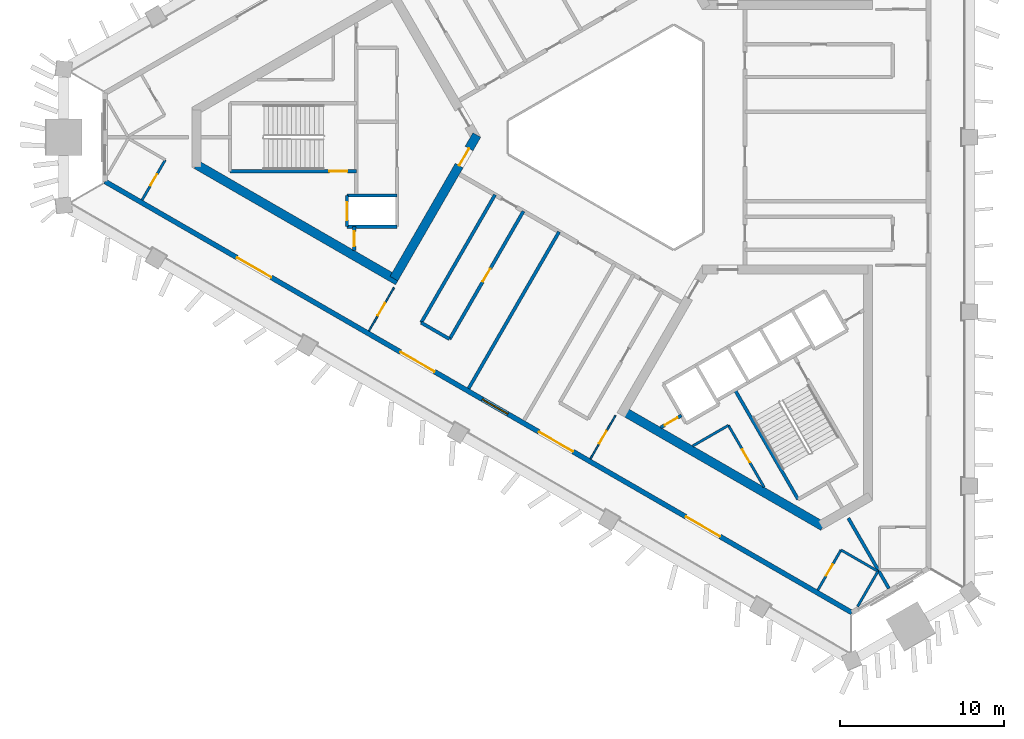
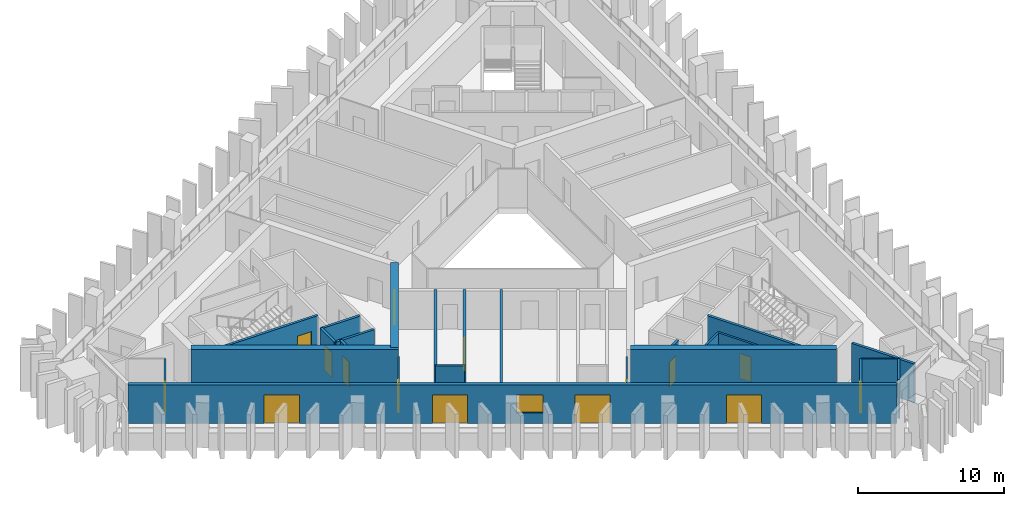
# One storey, part 2 of 9: 24 walls, 15 doors, 1 window, 16 openings.
"""IFC4 building model written with IfcOpenShell, lengths in metres."""

from ifc_helpers import new_model, si_unit, direction, frame, frame_2d, origin, place, context, subcontext, project, spatial, rectangle, extrude, material, layer, layer_set, type_object, element, fill, save


model = new_model("IFC4")

# Units and contexts
model_context = context("Model", 3, precision=1e-05, world=origin(), true_north=direction((0.0, 1.0)))
body_context = subcontext(model_context, "Body", "Model", "MODEL_VIEW")
ifc_project = project(units=[si_unit("LENGTHUNIT", "METRE"), si_unit("AREAUNIT", "SQUARE_METRE"), si_unit("VOLUMEUNIT", "CUBIC_METRE"), si_unit("PLANEANGLEUNIT", "RADIAN"), si_unit("MASSUNIT", "GRAM", prefix="KILO")], contexts=[model_context])

# Site, building, storey
site_placement = place(None, origin())
site = spatial("IfcSite", under=ifc_project, at=site_placement, CompositionType="ELEMENT")
building_placement = place(site_placement, origin())
building = spatial("IfcBuilding", under=site, at=building_placement, Name="Jabali Bay Hotel Tower and Convention Centre", CompositionType="ELEMENT")
storey_placement = place(building_placement, frame((0.0, 0.0, 189.60009765625)))
storey = spatial("IfcBuildingStorey", under=building, at=storey_placement, Name="L46", CompositionType="ELEMENT", Elevation=189.60009765625)

# Wall, opening, door
ifc_material_1 = material(Name="Concrete C40", Category="concrete")
ifc_layer_1 = layer(ifc_material_1, 0.199951171875)
ifc_layer_set_1 = layer_set([ifc_layer_1], Name="Concrete C40")
wall_type_1 = type_object("IfcWallType", Name="Core partition wall 200", PredefinedType="PARTITIONING", material=ifc_layer_set_1)
wall_1_placement = place(storey_placement, frame((58.300048828125, 74.550048828125, 0.0), z_axis=(0.0, 0.0, 1.0), x_axis=(0.0, -1.0, 0.0)))
wall_1 = element("IfcWall", 1, at=wall_1_placement, inside=storey, type_object=wall_type_1, Name="Core wall 0.10 L46", PredefinedType="PARTITIONING", context=body_context, shape_type="SweptSolid", body=[
    extrude(rectangle(XDim=1.455078125, YDim=0.199951171875, at=frame_2d((0.7275390625, 0.0))), origin(), (0.0, 0.0, 1.0), 3.25),
])
opening_1_placement = place(wall_1_placement, frame((0.277587890625, 0.0, 0.0)))
opening_1 = element("IfcOpeningElement", 2, at=opening_1_placement, cuts=wall_1, Name="Opening D992", PredefinedType="OPENING", context=body_context, shape_type="SweptSolid", body=[
    extrude(rectangle(XDim=0.89990234375, YDim=2.10009765625, at=frame_2d((0.449951171875, 1.050048828125))), frame((0.0, 0.1103515625, 0.0), z_axis=(0.0, -1.0, 0.0), x_axis=(1.0, 0.0, 0.0)), (0.0, 0.0, 1.0), 0.220947265625),
])
ifc_material_2 = material(Name="Fire-rated steel door", Category="steel")
door_type_1 = type_object("IfcDoorType", Name="Vestibule fire door 900 x 2100", OperationType="NOTDEFINED", PredefinedType="NOTDEFINED", material=ifc_material_2)
door_1_placement = place(opening_1_placement, origin())
door_1 = element("IfcDoor", 3, at=door_1_placement, inside=storey, type_object=door_type_1, Name="Vestibule fire door D992", OperationType="SINGLE_SWING_LEFT", OverallHeight=2.10009765625, OverallWidth=0.89990234375, PredefinedType="NOTDEFINED", context=body_context, shape_type="SweptSolid", body=[
    extrude(rectangle(XDim=0.89990234375, YDim=2.10009765625, at=frame_2d((0.449951171875, 1.050048828125))), frame((0.0, 0.02490234375, 0.0), z_axis=(0.0, -1.0, 0.0), x_axis=(1.0, 0.0, 0.0)), (0.0, 0.0, 1.0), 0.050048828125),
])
fill(opening_1, door_1)

wall_2_placement = place(storey_placement, frame((76.969970703125, 62.315673828125, 0.0), z_axis=(0.0, 0.0, 1.0), x_axis=(0.865982457891, 0.500074377092, 0.0)))
wall_2 = element("IfcWall", 4, at=wall_2_placement, inside=storey, type_object=wall_type_1, Name="Core wall 2.11 L46", PredefinedType="PARTITIONING", context=body_context, shape_type="SweptSolid", body=[
    extrude(rectangle(XDim=1.461181640625, YDim=0.199951171875, at=frame_2d((0.73046875, 0.0))), origin(), (0.0, 0.0, 1.0), 3.25),
])
opening_2_placement = place(wall_2_placement, frame((0.280517578125, 0.0, 0.0)))
opening_2 = element("IfcOpeningElement", 5, at=opening_2_placement, cuts=wall_2, Name="Opening D1005", PredefinedType="OPENING", context=body_context, shape_type="SweptSolid", body=[
    extrude(rectangle(XDim=0.89990234375, YDim=2.10009765625, at=frame_2d((0.449951171875, 1.050048828125))), frame((0.0, 0.1103515625, 0.0), z_axis=(0.0, -1.0, 0.0), x_axis=(1.0, 0.0, 0.0)), (0.0, 0.0, 1.0), 0.220947265625),
])
door_2_placement = place(opening_2_placement, origin())
door_2 = element("IfcDoor", 6, at=door_2_placement, inside=storey, type_object=door_type_1, Name="Vestibule fire door D1005", OperationType="SINGLE_SWING_LEFT", OverallHeight=2.10009765625, OverallWidth=0.89990234375, PredefinedType="NOTDEFINED", context=body_context, shape_type="SweptSolid", body=[
    extrude(rectangle(XDim=0.89990234375, YDim=2.10009765625, at=frame_2d((0.449951171875, 1.050048828125))), frame((0.0, 0.02490234375, 0.0), z_axis=(0.0, -1.0, 0.0), x_axis=(1.0, 0.0, 0.0)), (0.0, 0.0, 1.0), 0.050048828125),
])
fill(opening_2, door_2)

ifc_material_3 = material(Name="Fire-rated board partition")
ifc_layer_2 = layer(ifc_material_3, 0.14990234375)
ifc_layer_set_2 = layer_set([ifc_layer_2], Name="Fire-rated board partition")
wall_type_2 = type_object("IfcWallType", Name="Core room partition 150", PredefinedType="PARTITIONING", material=ifc_layer_set_2)
wall_3_placement = place(storey_placement, frame((81.093994140625, 62.445068359375, 0.0), z_axis=(0.0, 0.0, 1.0), x_axis=(0.499980071345, -0.866036909293, 0.0)))
wall_3 = element("IfcWall", 7, at=wall_3_placement, inside=storey, type_object=wall_type_2, Name="Core wall 2.1 L46", PredefinedType="PARTITIONING", context=body_context, shape_type="SweptSolid", body=[
    extrude(rectangle(XDim=4.347900390625, YDim=0.14990234375, at=frame_2d((2.173828125, 0.0))), origin(), (0.0, 0.0, 1.0), 3.25),
])
opening_3_placement = place(wall_3_placement, frame((1.696533203125, 0.0, 0.0)))
opening_3 = element("IfcOpeningElement", 8, at=opening_3_placement, cuts=wall_3, Name="Opening D1007", PredefinedType="OPENING", context=body_context, shape_type="SweptSolid", body=[
    extrude(rectangle(XDim=0.89990234375, YDim=2.10009765625, at=frame_2d((0.449951171875, 1.050048828125))), frame((0.0, 0.08544921875, 0.0), z_axis=(0.0, -1.0, 0.0), x_axis=(1.0, 0.0, 0.0)), (0.0, 0.0, 1.0), 0.1708984375),
])
door_type_2 = type_object("IfcDoorType", Name="Core room door 900 x 2100", OperationType="NOTDEFINED", PredefinedType="NOTDEFINED", material=ifc_material_2)
door_3_placement = place(opening_3_placement, origin())
door_3 = element("IfcDoor", 9, at=door_3_placement, inside=storey, type_object=door_type_2, Name="Core room door D1007", OperationType="SINGLE_SWING_LEFT", OverallHeight=2.10009765625, OverallWidth=0.89990234375, PredefinedType="NOTDEFINED", context=body_context, shape_type="SweptSolid", body=[
    extrude(rectangle(XDim=0.89990234375, YDim=2.10009765625, at=frame_2d((0.449951171875, 1.050048828125))), frame((0.0, 0.02490234375, 0.0), z_axis=(0.0, -1.0, 0.0), x_axis=(1.0, 0.0, 0.0)), (0.0, 0.0, 1.0), 0.050048828125),
])
fill(opening_3, door_3)

# Wall
wall_4_placement = place(storey_placement, frame((78.919921875, 61.18994140625, 0.0), z_axis=(0.0, 0.0, 1.0), x_axis=(0.866038211682, 0.499977815414, 0.0)))
element("IfcWall", 10, at=wall_4_placement, inside=storey, type_object=wall_type_2, Name="Core wall 2.16 L46", PredefinedType="PARTITIONING", context=body_context, shape_type="SweptSolid", body=[
    extrude(rectangle(XDim=2.51025390625, YDim=0.14990234375, at=frame_2d((1.255126953125, 0.0))), origin(), (0.0, 0.0, 1.0), 3.25),
])

# Wall, opening, door
ifc_layer_3 = layer(ifc_material_1, 0.199951171875)
ifc_layer_set_3 = layer_set([ifc_layer_3], Name="Concrete C40")
wall_type_3 = type_object("IfcWallType", Name="Core stair wall 200", PredefinedType="SOLIDWALL", material=ifc_layer_set_3)
wall_5_placement = place(storey_placement, frame((58.419921875, 77.925048828125, 0.0), z_axis=(0.0, 0.0, 1.0), x_axis=(-1.0, 0.0, 0.0)))
wall_5 = element("IfcWall", 11, at=wall_5_placement, inside=storey, type_object=wall_type_3, Name="Core wall 0.5 L46", PredefinedType="SOLIDWALL", context=body_context, shape_type="SweptSolid", body=[
    extrude(rectangle(XDim=7.699951171875, YDim=0.199951171875, at=frame_2d((3.85009765625, 0.0))), origin(), (0.0, 0.0, 1.0), 3.25),
])
opening_4_placement = place(wall_5_placement, frame((0.550048828125, 0.0, 0.0)))
opening_4 = element("IfcOpeningElement", 12, at=opening_4_placement, cuts=wall_5, Name="Opening D994", PredefinedType="OPENING", context=body_context, shape_type="SweptSolid", body=[
    extrude(rectangle(XDim=1.10009765625, YDim=2.10009765625, at=frame_2d((0.550048828125, 1.050048828125))), frame((0.0, 0.1103515625, 0.0), z_axis=(0.0, -1.0, 0.0), x_axis=(1.0, 0.0, 0.0)), (0.0, 0.0, 1.0), 0.220947265625),
])
door_type_3 = type_object("IfcDoorType", Name="Stair fire door 1100 x 2100", OperationType="NOTDEFINED", PredefinedType="NOTDEFINED", material=ifc_material_2)
door_4_placement = place(opening_4_placement, origin())
door_4 = element("IfcDoor", 13, at=door_4_placement, inside=storey, type_object=door_type_3, Name="Stair fire door D994", OperationType="SINGLE_SWING_RIGHT", OverallHeight=2.10009765625, OverallWidth=1.10009765625, PredefinedType="NOTDEFINED", context=body_context, shape_type="SweptSolid", body=[
    extrude(rectangle(XDim=1.10009765625, YDim=2.10009765625, at=frame_2d((0.550048828125, 1.050048828125))), frame((0.0, 0.02490234375, 0.0), z_axis=(0.0, -1.0, 0.0), x_axis=(1.0, 0.0, 0.0)), (0.0, 0.0, 1.0), 0.050048828125),
])
fill(opening_4, door_4)

# Walls
for number, where, z_axis, x_axis, name in (
    (14, (60.89990234375, 76.449951171875, 0.0), (0.0, 0.0, 1.0), (-1.0, 0.0, 0.0), "Core wall 0.6 L46"),
    (15, (60.89990234375, 74.550048828125, 0.0), (0.0, 0.0, 1.0), (-1.0, 0.0, 0.0), "Core wall 0.7 L46"),
):
    element("IfcWall", number, at=place(storey_placement, frame(where, z_axis=z_axis, x_axis=x_axis)), inside=storey, type_object=wall_type_3, Name=name, PredefinedType="SOLIDWALL", context=body_context, shape_type="SweptSolid", body=[
        extrude(rectangle(XDim=3.0498046875, YDim=0.199951171875, at=frame_2d((1.52490234375, 0.0))), origin(), (0.0, 0.0, 1.0), 3.25),
    ])

# Wall, opening, door
wall_6_placement = place(storey_placement, frame((57.85009765625, 76.449951171875, 0.0), z_axis=(0.0, 0.0, 1.0), x_axis=(0.0, -1.0, 0.0)))
wall_6 = element("IfcWall", 16, at=wall_6_placement, inside=storey, type_object=wall_type_3, Name="Core wall 0.11 L46", PredefinedType="SOLIDWALL", context=body_context, shape_type="SweptSolid", body=[
    extrude(rectangle(XDim=1.89990234375, YDim=0.199951171875, at=frame_2d((0.949951171875, 0.0))), origin(), (0.0, 0.0, 1.0), 3.25),
])
opening_5_placement = place(wall_6_placement, frame((0.39990234375, 0.0, 0.0)))
opening_5 = element("IfcOpeningElement", 17, at=opening_5_placement, cuts=wall_6, Name="Opening LD5-L46", PredefinedType="OPENING", context=body_context, shape_type="SweptSolid", body=[
    extrude(rectangle(XDim=1.10009765625, YDim=2.10009765625, at=frame_2d((0.550048828125, 1.050048828125))), frame((0.0, 0.1103515625, 0.0), z_axis=(0.0, -1.0, 0.0), x_axis=(1.0, 0.0, 0.0)), (0.0, 0.0, 1.0), 0.220947265625),
])
ifc_material_4 = material(Name="Stainless steel landing door", Category="steel")
door_type_4 = type_object("IfcDoorType", Name="Landing door 1100 x 2100", OperationType="NOTDEFINED", PredefinedType="NOTDEFINED", material=ifc_material_4)
door_5_placement = place(opening_5_placement, origin())
door_5 = element("IfcDoor", 18, at=door_5_placement, inside=storey, type_object=door_type_4, Name="Landing doors LD5-L46", OperationType="SLIDING_TO_RIGHT", OverallHeight=2.10009765625, OverallWidth=1.10009765625, PredefinedType="NOTDEFINED", context=body_context, shape_type="SweptSolid", body=[
    extrude(rectangle(XDim=1.10009765625, YDim=2.10009765625, at=frame_2d((0.550048828125, 1.050048828125))), frame((0.0, 0.02490234375, 0.0), z_axis=(0.0, -1.0, 0.0), x_axis=(1.0, 0.0, 0.0)), (0.0, 0.0, 1.0), 0.050048828125),
])
fill(opening_5, door_5)

# Walls
wall_7_placement = place(storey_placement, frame((81.492919921875, 64.603759765625, 0.0), z_axis=(0.0, 0.0, 1.0), x_axis=(0.500006057782, -0.866021906294, 0.0)))
element("IfcWall", 19, at=wall_7_placement, inside=storey, type_object=wall_type_3, Name="Core wall 2.3 L46", PredefinedType="SOLIDWALL", context=body_context, shape_type="SweptSolid", body=[
    extrude(rectangle(XDim=7.7001953125, YDim=0.199951171875, at=frame_2d((3.85009765625, 0.0))), origin(), (0.0, 0.0, 1.0), 3.25),
])
ifc_material_5 = material(Name="Concrete C60", Category="concrete")
ifc_layer_4 = layer(ifc_material_5, 0.550048828125)
ifc_layer_set_4 = layer_set([ifc_layer_4], Name="Concrete C60")
wall_type_4 = type_object("IfcWallType", Name="Core wall 550", PredefinedType="SHEAR", material=ifc_layer_set_4)
wall_8_placement = place(storey_placement, frame((48.671875, 78.336181640625, 0.0), z_axis=(0.0, 0.0, 1.0), x_axis=(0.866023530946, -0.500003243837, 0.0)))
element("IfcWall", 20, at=wall_8_placement, inside=storey, type_object=wall_type_4, Name="Core wall 1.4 L46", PredefinedType="SHEAR", context=body_context, shape_type="SweptSolid", body=[
    extrude(rectangle(XDim=14.1748046875, YDim=0.550048828125, at=frame_2d((7.08740234375, 0.0))), origin(), (0.0, 0.0, 1.0), 3.699951171875),
])

# Wall, opening, door
wall_9_placement = place(storey_placement, frame((60.709228515625, 71.38623046875, 0.0), z_axis=(0.0, 0.0, 1.0), x_axis=(0.500015938302, 0.866016201606, 0.0)))
wall_9 = element("IfcWall", 21, at=wall_9_placement, inside=storey, type_object=wall_type_4, Name="Core wall 1.5 L46", PredefinedType="SHEAR", context=body_context, shape_type="SweptSolid", body=[
    extrude(rectangle(XDim=10.105224609375, YDim=0.550048828125, at=frame_2d((5.052734375, 0.0))), origin(), (0.0, 0.0, 1.0), 3.699951171875),
])
opening_6_placement = place(wall_9_placement, frame((7.955078125, 0.0, 0.0)))
opening_6 = element("IfcOpeningElement", 22, at=opening_6_placement, cuts=wall_9, Name="Opening D989", PredefinedType="OPENING", context=body_context, shape_type="SweptSolid", body=[
    extrude(rectangle(XDim=1.199951171875, YDim=2.10009765625, at=frame_2d((0.60009765625, 1.050048828125))), frame((0.0, 0.28564453125, 0.0), z_axis=(0.0, -1.0, 0.0), x_axis=(1.0, 0.0, 0.0)), (0.0, 0.0, 1.0), 0.571044921875),
])
door_type_5 = type_object("IfcDoorType", Name="Corridor end fire door 1200 x 2100", OperationType="NOTDEFINED", PredefinedType="NOTDEFINED", material=ifc_material_2)
door_6_placement = place(opening_6_placement, origin())
door_6 = element("IfcDoor", 23, at=door_6_placement, inside=storey, type_object=door_type_5, Name="Corridor end fire door D989", OperationType="SINGLE_SWING_LEFT", OverallHeight=2.10009765625, OverallWidth=1.199951171875, PredefinedType="NOTDEFINED", context=body_context, shape_type="SweptSolid", body=[
    extrude(rectangle(XDim=1.199951171875, YDim=2.10009765625, at=frame_2d((0.60009765625, 1.050048828125))), frame((0.0, 0.02490234375, 0.0), z_axis=(0.0, -1.0, 0.0), x_axis=(1.0, 0.0, 0.0)), (0.0, 0.0, 1.0), 0.050048828125),
])
fill(opening_6, door_6)

# Wall
wall_10_placement = place(storey_placement, frame((74.685546875, 63.317138671875, 0.0), z_axis=(0.0, 0.0, 1.0), x_axis=(0.866024505738, -0.500001555459, 0.0)))
element("IfcWall", 24, at=wall_10_placement, inside=storey, type_object=wall_type_4, Name="Core wall 3.2 L46", PredefinedType="SHEAR", context=body_context, shape_type="SweptSolid", body=[
    extrude(rectangle(XDim=14.05859375, YDim=0.550048828125, at=frame_2d((7.029296875, 0.0))), origin(), (0.0, 0.0, 1.0), 3.699951171875),
])

# Wall, openings, doors, window
ifc_layer_5 = layer(ifc_material_1, 0.300048828125)
ifc_layer_set_5 = layer_set([ifc_layer_5], Name="Concrete C40")
wall_type_5 = type_object("IfcWallType", Name="External wall 300", PredefinedType="SOLIDWALL", material=ifc_layer_set_5)
wall_11_placement = place(storey_placement, frame((88.620849609375, 51.030517578125, 0.0), z_axis=(0.0, 0.0, 1.0), x_axis=(-0.866025007541, 0.500000686313, 0.0)))
wall_11 = element("IfcWall", 25, at=wall_11_placement, inside=storey, type_object=wall_type_5, Name="External wall south-west face L46", PredefinedType="SOLIDWALL", context=body_context, shape_type="SweptSolid", body=[
    extrude(rectangle(XDim=52.5615234375, YDim=0.300048828125, at=frame_2d((26.28076171875, 0.0))), origin(), (0.0, 0.0, 1.0), 3.25),
])
opening_7_placement = place(wall_11_placement, frame((29.367431640625, 0.0, 0.0)))
opening_7 = element("IfcOpeningElement", 26, at=opening_7_placement, cuts=wall_11, Name="Opening SD1", PredefinedType="OPENING", context=body_context, shape_type="SweptSolid", body=[
    extrude(rectangle(XDim=2.39990234375, YDim=2.39990234375, at=frame_2d((1.199951171875, 1.199951171875))), frame((0.0, 0.16064453125, 0.0), z_axis=(0.0, -1.0, 0.0), x_axis=(1.0, 0.0, 0.0)), (0.0, 0.0, 1.0), 0.321044921875),
])
opening_8_placement = place(wall_11_placement, frame((40.8642578125, 0.0, 0.0)))
opening_8 = element("IfcOpeningElement", 27, at=opening_8_placement, cuts=wall_11, Name="Opening SD1", PredefinedType="OPENING", context=body_context, shape_type="SweptSolid", body=[
    extrude(rectangle(XDim=2.39990234375, YDim=2.39990234375, at=frame_2d((1.199951171875, 1.199951171875))), frame((0.0, 0.16064453125, 0.0), z_axis=(0.0, -1.0, 0.0), x_axis=(1.0, 0.0, 0.0)), (0.0, 0.0, 1.0), 0.321044921875),
])
opening_9_placement = place(wall_11_placement, frame((19.624755859375, 0.0, 0.0)))
opening_9 = element("IfcOpeningElement", 28, at=opening_9_placement, cuts=wall_11, Name="Opening SD1", PredefinedType="OPENING", context=body_context, shape_type="SweptSolid", body=[
    extrude(rectangle(XDim=2.39990234375, YDim=2.39990234375, at=frame_2d((1.199951171875, 1.199951171875))), frame((0.0, 0.16064453125, 0.0), z_axis=(0.0, -1.0, 0.0), x_axis=(1.0, 0.0, 0.0)), (0.0, 0.0, 1.0), 0.321044921875),
])
opening_10_placement = place(wall_11_placement, frame((9.27734375, 0.0, 0.0)))
opening_10 = element("IfcOpeningElement", 29, at=opening_10_placement, cuts=wall_11, Name="Opening SD1", PredefinedType="OPENING", context=body_context, shape_type="SweptSolid", body=[
    extrude(rectangle(XDim=2.39990234375, YDim=2.39990234375, at=frame_2d((1.199951171875, 1.199951171875))), frame((0.0, 0.16064453125, 0.0), z_axis=(0.0, -1.0, 0.0), x_axis=(1.0, 0.0, 0.0)), (0.0, 0.0, 1.0), 0.321044921875),
])
opening_11_placement = place(wall_11_placement, frame((24.211669921875, 0.0, 0.89990234375)))
opening_11 = element("IfcOpeningElement", 30, at=opening_11_placement, cuts=wall_11, Name="Opening W1", PredefinedType="OPENING", context=body_context, shape_type="SweptSolid", body=[
    extrude(rectangle(XDim=1.800048828125, YDim=1.5, at=frame_2d((0.89990234375, 0.75))), frame((0.0, 0.16064453125, 0.0), z_axis=(0.0, -1.0, 0.0), x_axis=(1.0, 0.0, 0.0)), (0.0, 0.0, 1.0), 0.321044921875),
])
ifc_material_6 = material(Name="Glass", Category="glass")
door_type_6 = type_object("IfcDoorType", Name="Loggia sliding door 2400 x 2400", OperationType="NOTDEFINED", PredefinedType="NOTDEFINED", material=ifc_material_6)
door_7_placement = place(opening_7_placement, origin())
door_7 = element("IfcDoor", 31, at=door_7_placement, inside=storey, type_object=door_type_6, Name="Loggia sliding door 4610", OperationType="SLIDING_TO_LEFT", OverallHeight=2.39990234375, OverallWidth=2.39990234375, PredefinedType="NOTDEFINED", context=body_context, shape_type="SweptSolid", body=[
    extrude(rectangle(XDim=2.39990234375, YDim=2.39990234375, at=frame_2d((1.199951171875, 1.199951171875))), frame((0.0, 0.02490234375, 0.0), z_axis=(0.0, -1.0, 0.0), x_axis=(1.0, 0.0, 0.0)), (0.0, 0.0, 1.0), 0.050048828125),
])
fill(opening_7, door_7)
door_8_placement = place(opening_8_placement, origin())
door_8 = element("IfcDoor", 32, at=door_8_placement, inside=storey, type_object=door_type_6, Name="Loggia sliding door 4610", OperationType="SLIDING_TO_RIGHT", OverallHeight=2.39990234375, OverallWidth=2.39990234375, PredefinedType="NOTDEFINED", context=body_context, shape_type="SweptSolid", body=[
    extrude(rectangle(XDim=2.39990234375, YDim=2.39990234375, at=frame_2d((1.199951171875, 1.199951171875))), frame((0.0, 0.02490234375, 0.0), z_axis=(0.0, -1.0, 0.0), x_axis=(1.0, 0.0, 0.0)), (0.0, 0.0, 1.0), 0.050048828125),
])
fill(opening_8, door_8)
door_9_placement = place(opening_9_placement, origin())
door_9 = element("IfcDoor", 33, at=door_9_placement, inside=storey, type_object=door_type_6, Name="Loggia sliding door 4612", OperationType="SLIDING_TO_LEFT", OverallHeight=2.39990234375, OverallWidth=2.39990234375, PredefinedType="NOTDEFINED", context=body_context, shape_type="SweptSolid", body=[
    extrude(rectangle(XDim=2.39990234375, YDim=2.39990234375, at=frame_2d((1.199951171875, 1.199951171875))), frame((0.0, 0.02490234375, 0.0), z_axis=(0.0, -1.0, 0.0), x_axis=(1.0, 0.0, 0.0)), (0.0, 0.0, 1.0), 0.050048828125),
])
fill(opening_9, door_9)
door_10_placement = place(opening_10_placement, origin())
door_10 = element("IfcDoor", 34, at=door_10_placement, inside=storey, type_object=door_type_6, Name="Loggia sliding door 4612", OperationType="SLIDING_TO_RIGHT", OverallHeight=2.39990234375, OverallWidth=2.39990234375, PredefinedType="NOTDEFINED", context=body_context, shape_type="SweptSolid", body=[
    extrude(rectangle(XDim=2.39990234375, YDim=2.39990234375, at=frame_2d((1.199951171875, 1.199951171875))), frame((0.0, 0.02490234375, 0.0), z_axis=(0.0, -1.0, 0.0), x_axis=(1.0, 0.0, 0.0)), (0.0, 0.0, 1.0), 0.050048828125),
])
fill(opening_10, door_10)
window_type = type_object("IfcWindowType", Name="Window 1800 x 1500", PartitioningType="SINGLE_PANEL", PredefinedType="WINDOW", material=ifc_material_6)
window_placement = place(opening_11_placement, origin())
window = element("IfcWindow", 35, at=window_placement, inside=storey, type_object=window_type, Name="Window", OverallHeight=1.5, OverallWidth=1.800048828125, PartitioningType="SINGLE_PANEL", PredefinedType="WINDOW", context=body_context, shape_type="SweptSolid", body=[
    extrude(rectangle(XDim=1.800048828125, YDim=1.5, at=frame_2d((0.89990234375, 0.75))), frame((0.0, 0.030029296875, 0.0), z_axis=(0.0, -1.0, 0.0), x_axis=(1.0, 0.0, 0.0)), (0.0, 0.0, 1.0), 0.06005859375),
])
fill(opening_11, window)

# Wall, opening, door
ifc_material_7 = material(Name="Plasterboard on steel stud", Category="steel")
ifc_layer_6 = layer(ifc_material_7, 0.10009765625)
ifc_layer_set_6 = layer_set([ifc_layer_6], Name="Plasterboard on steel stud")
wall_type_6 = type_object("IfcWallType", Name="Partition 100 unit", PredefinedType="PARTITIONING", material=ifc_layer_set_6)
wall_12_placement = place(storey_placement, frame((60.71044921875, 70.83837890625, 0.0), z_axis=(0.0, 0.0, 1.0), x_axis=(-0.499978833458, -0.866037623948, 0.0)))
wall_12 = element("IfcWall", 36, at=wall_12_placement, inside=storey, type_object=wall_type_6, Name="Partition P02 L46 034", PredefinedType="PARTITIONING", context=body_context, shape_type="SweptSolid", body=[
    extrude(rectangle(XDim=3.050048828125, YDim=0.10009765625, at=frame_2d((1.52490234375, 0.0))), origin(), (0.0, 0.0, 1.0), 3.25),
])
opening_12_placement = place(wall_12_placement, frame((1.074951171875, 0.0, 0.0)))
opening_12 = element("IfcOpeningElement", 37, at=opening_12_placement, cuts=wall_12, Name="Opening 4620", PredefinedType="OPENING", context=body_context, shape_type="SweptSolid", body=[
    extrude(rectangle(XDim=0.89990234375, YDim=2.10009765625, at=frame_2d((0.449951171875, 1.050048828125))), frame((0.0, 0.060546875, 0.0), z_axis=(0.0, -1.0, 0.0), x_axis=(1.0, 0.0, 0.0)), (0.0, 0.0, 1.0), 0.12109375),
])
ifc_material_8 = material(Name="Timber", Category="wood")
door_type_7 = type_object("IfcDoorType", Name="Internal door 900 x 2100", OperationType="NOTDEFINED", PredefinedType="NOTDEFINED", material=ifc_material_8)
door_11_placement = place(opening_12_placement, origin())
door_11 = element("IfcDoor", 38, at=door_11_placement, inside=storey, type_object=door_type_7, Name="Door 4620", OperationType="SINGLE_SWING_RIGHT", OverallHeight=2.10009765625, OverallWidth=0.89990234375, PredefinedType="NOTDEFINED", context=body_context, shape_type="SweptSolid", body=[
    extrude(rectangle(XDim=0.89990234375, YDim=2.10009765625, at=frame_2d((0.449951171875, 1.050048828125))), frame((0.0, 0.02490234375, 0.0), z_axis=(0.0, -1.0, 0.0), x_axis=(1.0, 0.0, 0.0)), (0.0, 0.0, 1.0), 0.050048828125),
])
fill(opening_12, door_11)

wall_13_placement = place(storey_placement, frame((72.685546875, 60.40283203125, 0.0), z_axis=(0.0, 0.0, 1.0), x_axis=(0.499978833458, 0.866037623948, 0.0)))
wall_13 = element("IfcWall", 39, at=wall_13_placement, inside=storey, type_object=wall_type_6, Name="Partition P02 L46 043", PredefinedType="PARTITIONING", context=body_context, shape_type="SweptSolid", body=[
    extrude(rectangle(XDim=3.050048828125, YDim=0.10009765625, at=frame_2d((1.52490234375, 0.0))), origin(), (0.0, 0.0, 1.0), 3.25),
])
opening_13_placement = place(wall_13_placement, frame((1.074951171875, 0.0, 0.0)))
opening_13 = element("IfcOpeningElement", 40, at=opening_13_placement, cuts=wall_13, Name="Opening 4625", PredefinedType="OPENING", context=body_context, shape_type="SweptSolid", body=[
    extrude(rectangle(XDim=0.89990234375, YDim=2.10009765625, at=frame_2d((0.449951171875, 1.050048828125))), frame((0.0, 0.060546875, 0.0), z_axis=(0.0, -1.0, 0.0), x_axis=(1.0, 0.0, 0.0)), (0.0, 0.0, 1.0), 0.12109375),
])
door_12_placement = place(opening_13_placement, origin())
door_12 = element("IfcDoor", 41, at=door_12_placement, inside=storey, type_object=door_type_7, Name="Door 4625", OperationType="SINGLE_SWING_RIGHT", OverallHeight=2.10009765625, OverallWidth=0.89990234375, PredefinedType="NOTDEFINED", context=body_context, shape_type="SweptSolid", body=[
    extrude(rectangle(XDim=0.89990234375, YDim=2.10009765625, at=frame_2d((0.449951171875, 1.050048828125))), frame((0.0, 0.02490234375, 0.0), z_axis=(0.0, -1.0, 0.0), x_axis=(1.0, 0.0, 0.0)), (0.0, 0.0, 1.0), 0.050048828125),
])
fill(opening_13, door_12)

ifc_layer_7 = layer(ifc_material_7, 0.14990234375)
ifc_layer_set_7 = layer_set([ifc_layer_7], Name="Plasterboard on steel stud")
wall_type_7 = type_object("IfcWallType", Name="Partition 150 wet", PredefinedType="PARTITIONING", material=ifc_layer_set_7)
wall_14_placement = place(storey_placement, frame((46.77685546875, 78.6259765625, 0.0), z_axis=(0.0, 0.0, 1.0), x_axis=(-0.499984077514, -0.866034596441, 0.0)))
wall_14 = element("IfcWall", 42, at=wall_14_placement, inside=storey, type_object=wall_type_7, Name="Partition P03 L46 041", PredefinedType="PARTITIONING", context=body_context, shape_type="SweptSolid", body=[
    extrude(rectangle(XDim=2.8271484375, YDim=0.14990234375, at=frame_2d((1.41357421875, 0.0))), origin(), (0.0, 0.0, 1.0), 3.25),
])
opening_14_placement = place(wall_14_placement, frame((1.013916015625, 0.0, 0.0)))
opening_14 = element("IfcOpeningElement", 43, at=opening_14_placement, cuts=wall_14, Name="Opening 4621", PredefinedType="OPENING", context=body_context, shape_type="SweptSolid", body=[
    extrude(rectangle(XDim=0.800048828125, YDim=2.10009765625, at=frame_2d((0.39990234375, 1.050048828125))), frame((0.0, 0.08544921875, 0.0), z_axis=(0.0, -1.0, 0.0), x_axis=(1.0, 0.0, 0.0)), (0.0, 0.0, 1.0), 0.1708984375),
])
door_type_8 = type_object("IfcDoorType", Name="En-suite door 800 x 2100", OperationType="NOTDEFINED", PredefinedType="NOTDEFINED", material=ifc_material_8)
door_13_placement = place(opening_14_placement, origin())
door_13 = element("IfcDoor", 44, at=door_13_placement, inside=storey, type_object=door_type_8, Name="Door 4621", OperationType="SINGLE_SWING_LEFT", OverallHeight=2.10009765625, OverallWidth=0.800048828125, PredefinedType="NOTDEFINED", context=body_context, shape_type="SweptSolid", body=[
    extrude(rectangle(XDim=0.800048828125, YDim=2.10009765625, at=frame_2d((0.39990234375, 1.050048828125))), frame((0.0, 0.02490234375, 0.0), z_axis=(0.0, -1.0, 0.0), x_axis=(1.0, 0.0, 0.0)), (0.0, 0.0, 1.0), 0.050048828125),
])
fill(opening_14, door_13)

wall_15_placement = place(storey_placement, frame((86.5419921875, 52.40283203125, 0.0), z_axis=(0.0, 0.0, 1.0), x_axis=(0.499984077514, 0.866034596441, 0.0)))
wall_15 = element("IfcWall", 45, at=wall_15_placement, inside=storey, type_object=wall_type_7, Name="Partition P03 L46 047", PredefinedType="PARTITIONING", context=body_context, shape_type="SweptSolid", body=[
    extrude(rectangle(XDim=2.8271484375, YDim=0.14990234375, at=frame_2d((1.41357421875, 0.0))), origin(), (0.0, 0.0, 1.0), 3.25),
])
opening_15_placement = place(wall_15_placement, frame((1.013916015625, 0.0, 0.0)))
opening_15 = element("IfcOpeningElement", 46, at=opening_15_placement, cuts=wall_15, Name="Opening 4626", PredefinedType="OPENING", context=body_context, shape_type="SweptSolid", body=[
    extrude(rectangle(XDim=0.800048828125, YDim=2.10009765625, at=frame_2d((0.39990234375, 1.050048828125))), frame((0.0, 0.08544921875, 0.0), z_axis=(0.0, -1.0, 0.0), x_axis=(1.0, 0.0, 0.0)), (0.0, 0.0, 1.0), 0.1708984375),
])
door_14_placement = place(opening_15_placement, origin())
door_14 = element("IfcDoor", 47, at=door_14_placement, inside=storey, type_object=door_type_8, Name="Door 4626", OperationType="SINGLE_SWING_LEFT", OverallHeight=2.10009765625, OverallWidth=0.800048828125, PredefinedType="NOTDEFINED", context=body_context, shape_type="SweptSolid", body=[
    extrude(rectangle(XDim=0.800048828125, YDim=2.10009765625, at=frame_2d((0.39990234375, 1.050048828125))), frame((0.0, 0.02490234375, 0.0), z_axis=(0.0, -1.0, 0.0), x_axis=(1.0, 0.0, 0.0)), (0.0, 0.0, 1.0), 0.050048828125),
])
fill(opening_15, door_14)

# Walls
wall_16_placement = place(storey_placement, frame((87.95556640625, 54.851318359375, 0.0), z_axis=(0.0, 0.0, 1.0), x_axis=(0.866021400173, -0.500006934395, 0.0)))
element("IfcWall", 48, at=wall_16_placement, inside=storey, type_object=wall_type_7, Name="Partition P03 L46 048", PredefinedType="PARTITIONING", context=body_context, shape_type="SweptSolid", body=[
    extrude(rectangle(XDim=2.60009765625, YDim=0.14990234375, at=frame_2d((1.300048828125, 0.0))), origin(), (0.0, 0.0, 1.0), 3.25),
])
wall_17_placement = place(storey_placement, frame((90.207275390625, 53.55126953125, 0.0), z_axis=(0.0, 0.0, 1.0), x_axis=(-0.499969421594, -0.866043057515, 0.0)))
element("IfcWall", 49, at=wall_17_placement, inside=storey, type_object=wall_type_7, Name="Partition P03 L46 049", PredefinedType="PARTITIONING", context=body_context, shape_type="SweptSolid", body=[
    extrude(rectangle(XDim=2.481689453125, YDim=0.14990234375, at=frame_2d((1.24072265625, 0.0))), origin(), (0.0, 0.0, 1.0), 3.25),
])
ifc_layer_8 = layer(ifc_material_7, 0.199951171875)
ifc_layer_set_8 = layer_set([ifc_layer_8], Name="Plasterboard on steel stud")
wall_type_8 = type_object("IfcWallType", Name="Partition 200 party", PredefinedType="PARTITIONING", material=ifc_layer_set_8)
wall_18_placement = place(storey_placement, frame((88.401123046875, 56.788818359375, 0.0), z_axis=(0.0, 0.0, 1.0), x_axis=(0.499960231075, -0.866048363166, 0.0)))
element("IfcWall", 50, at=wall_18_placement, inside=storey, type_object=wall_type_8, Name="Partition P01 L46 009", PredefinedType="PARTITIONING", context=body_context, shape_type="SweptSolid", body=[
    extrude(rectangle(XDim=4.94775390625, YDim=0.199951171875, at=frame_2d((2.473876953125, 0.0))), origin(), (0.0, 0.0, 1.0), 3.25),
])

# Wall, opening, door
wall_19_placement = place(storey_placement, frame((68.603515625, 75.49462890625, 0.0), z_axis=(0.0, 0.0, 1.0), x_axis=(-0.5000018851, -0.866024315419, 0.0)))
wall_19 = element("IfcWall", 51, at=wall_19_placement, inside=storey, type_object=wall_type_8, Name="Partition P01 L46 035", PredefinedType="PARTITIONING", context=body_context, shape_type="SweptSolid", body=[
    extrude(rectangle(XDim=9.0, YDim=0.199951171875, at=frame_2d((4.5, 0.0))), origin(), (0.0, 0.0, 1.0), 3.25),
])
opening_16_placement = place(wall_19_placement, frame((4.050048828125, 0.0, 0.0)))
opening_16 = element("IfcOpeningElement", 52, at=opening_16_placement, cuts=wall_19, Name="Opening 4622", PredefinedType="OPENING", context=body_context, shape_type="SweptSolid", body=[
    extrude(rectangle(XDim=0.89990234375, YDim=2.10009765625, at=frame_2d((0.449951171875, 1.050048828125))), frame((0.0, 0.1103515625, 0.0), z_axis=(0.0, -1.0, 0.0), x_axis=(1.0, 0.0, 0.0)), (0.0, 0.0, 1.0), 0.220947265625),
])
door_15_placement = place(opening_16_placement, origin())
door_15 = element("IfcDoor", 53, at=door_15_placement, inside=storey, type_object=door_type_7, Name="Door 4622", OperationType="SINGLE_SWING_LEFT", OverallHeight=2.10009765625, OverallWidth=0.89990234375, PredefinedType="NOTDEFINED", context=body_context, shape_type="SweptSolid", body=[
    extrude(rectangle(XDim=0.89990234375, YDim=2.10009765625, at=frame_2d((0.449951171875, 1.050048828125))), frame((0.0, 0.02490234375, 0.0), z_axis=(0.0, -1.0, 0.0), x_axis=(1.0, 0.0, 0.0)), (0.0, 0.0, 1.0), 0.050048828125),
])
fill(opening_16, door_15)

# Walls
wall_20_placement = place(storey_placement, frame((64.103515625, 67.700439453125, 0.0), z_axis=(0.0, 0.0, 1.0), x_axis=(-0.866010750942, 0.50002537861, 0.0)))
element("IfcWall", 54, at=wall_20_placement, inside=storey, type_object=wall_type_8, Name="Partition P01 L46 036", PredefinedType="PARTITIONING", context=body_context, shape_type="SweptSolid", body=[
    extrude(rectangle(XDim=2.0, YDim=0.199951171875, at=frame_2d((1.0, 0.0))), origin(), (0.0, 0.0, 1.0), 3.25),
])
wall_21_placement = place(storey_placement, frame((62.37158203125, 68.700439453125, 0.0), z_axis=(0.0, 0.0, 1.0), x_axis=(0.5000018851, 0.866024315419, 0.0)))
element("IfcWall", 55, at=wall_21_placement, inside=storey, type_object=wall_type_8, Name="Partition P01 L46 037", PredefinedType="PARTITIONING", context=body_context, shape_type="SweptSolid", body=[
    extrude(rectangle(XDim=9.0, YDim=0.199951171875, at=frame_2d((4.5, 0.0))), origin(), (0.0, 0.0, 1.0), 3.25),
])
wall_22_placement = place(storey_placement, frame((65.260498046875, 64.689697265625, 0.0), z_axis=(0.0, 0.0, 1.0), x_axis=(0.499998385726, 0.866026335784, 0.0)))
element("IfcWall", 56, at=wall_22_placement, inside=storey, type_object=wall_type_8, Name="Partition P01 L46 038", PredefinedType="PARTITIONING", context=body_context, shape_type="SweptSolid", body=[
    extrude(rectangle(XDim=11.02880859375, YDim=0.199951171875, at=frame_2d((5.514404296875, 0.0))), origin(), (0.0, 0.0, 1.0), 3.25),
])

save(model, "model.ifc")
